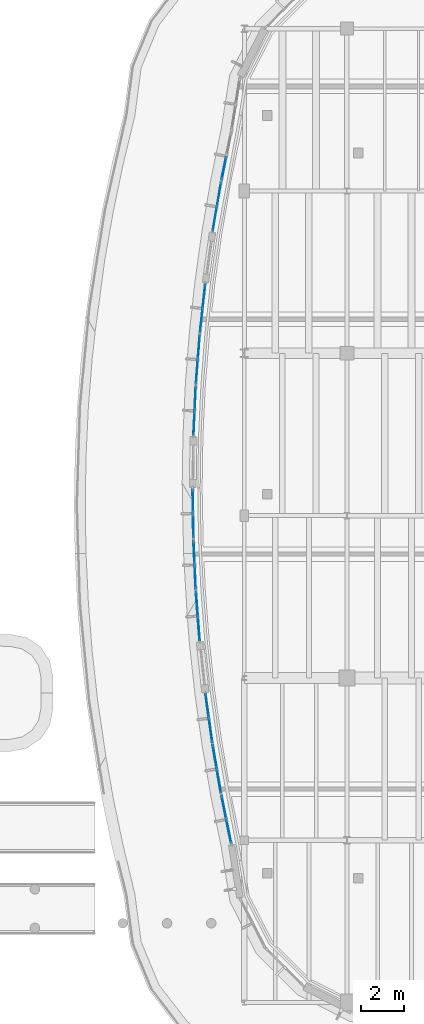
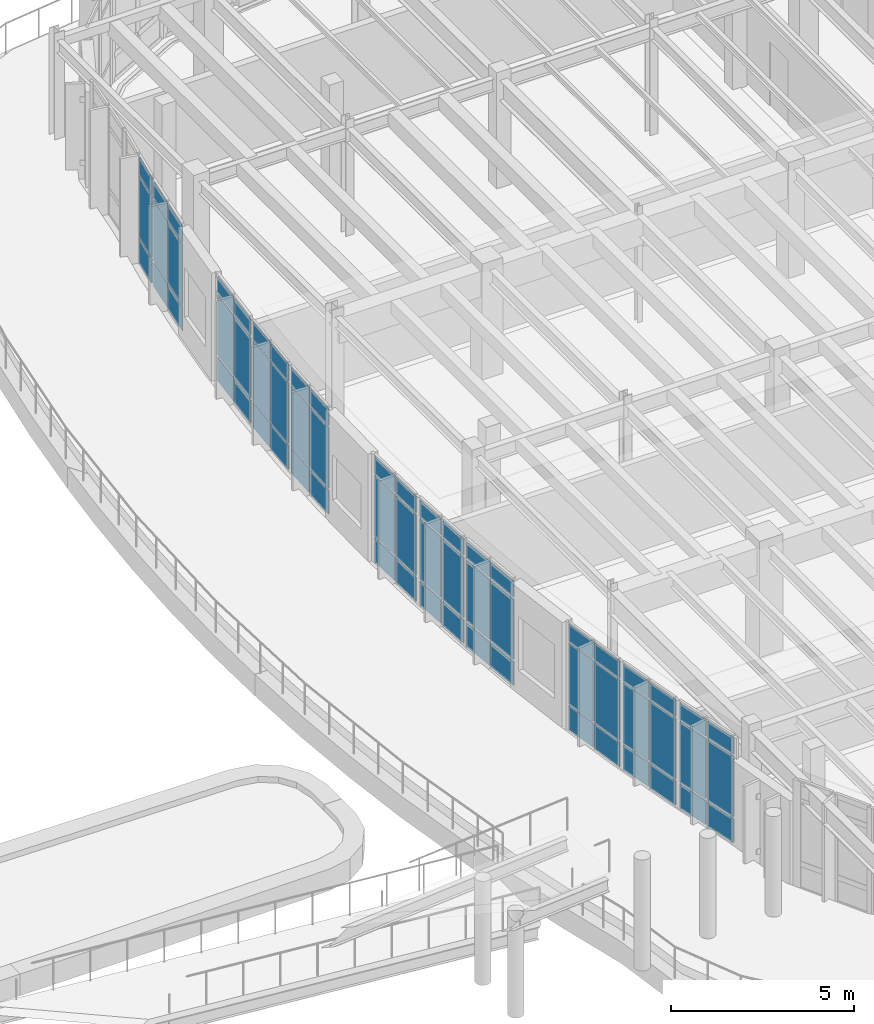
# One storey, part 76 of 111: 63 plates, 11 elements without a shape of their own.
"""IFC4 building model written with IfcOpenShell, lengths in metres."""

from ifc_helpers import new_model, si_unit, direction, frame, origin, origin_2d, place, context, subcontext, project, spatial, rectangle, extrude, material, layer, layer_set, type_object, element, aggregate, save


model = new_model("IFC4")

# Units and contexts
model_context = context("Model", 3, precision=1e-05, world=origin(), true_north=direction((0.0, 1.0)))
body_context = subcontext(model_context, "Body", "Model", "MODEL_VIEW")
ifc_project = project(units=[si_unit("LENGTHUNIT", "METRE"), si_unit("AREAUNIT", "SQUARE_METRE"), si_unit("VOLUMEUNIT", "CUBIC_METRE"), si_unit("PLANEANGLEUNIT", "RADIAN"), si_unit("MASSUNIT", "GRAM", prefix="KILO")], contexts=[model_context])

# Site, building, storey
site_placement = place(None, origin())
site = spatial("IfcSite", under=ifc_project, at=site_placement, CompositionType="ELEMENT")
building_placement = place(site_placement, origin())
building = spatial("IfcBuilding", under=site, at=building_placement, Name="Corveleigh Park Community Centre", CompositionType="ELEMENT")
storey_placement = place(building_placement, frame((0.0, 0.0, 4.800048828125)))
storey = spatial("IfcBuildingStorey", under=building, at=storey_placement, Name="L01", CompositionType="ELEMENT", Elevation=4.800048828125)

# Curtain wall, plates
ifc_material_1 = material(Name="Anodised aluminium 6063-T6", Category="aluminium")
curtain_wall_type = type_object("IfcCurtainWallType", Name="CW-SYS-V4-L01", PredefinedType="NOTDEFINED", material=ifc_material_1)
curtain_wall_1_placement = place(storey_placement, origin())
curtain_wall_1 = element("IfcCurtainWall", 1, at=curtain_wall_1_placement, inside=storey, type_object=curtain_wall_type, Name="V4 L01 Curtain Wall 289", PredefinedType="NOTDEFINED")
ifc_material_2 = material(Name="Low-E double glazing", Category="glass")
ifc_layer_1 = layer(ifc_material_2, 0.02392578125, Name="Low-E double glazing", Category="glass")
ifc_layer_set_1 = layer_set([ifc_layer_1], Name="Low-E double glazing")
plate_type_1 = type_object("IfcPlateType", Name="CWP-GLZ-24", PredefinedType="CURTAIN_PANEL", material=ifc_layer_set_1)
plate_1_placement = place(storey_placement, frame((133.216552734375, 95.28662109375, 0.074951171875), z_axis=(0.0, 0.0, 1.0), x_axis=(0.16935940473, 0.985554357724, 0.0)))
plate_1 = element("IfcPlate", 2, at=plate_1_placement, type_object=plate_type_1, Name="CW08 panel 1.1", PredefinedType="CURTAIN_PANEL", context=body_context, shape_type="SweptSolid", body=[
    extrude(rectangle(XDim=1.102783203125, YDim=0.02392578125, at=origin_2d()), origin(), (0.0, 0.0, 1.0), 0.78759765625),
])
plate_2_placement = place(storey_placement, frame((133.216552734375, 95.28662109375, 0.9375), z_axis=(0.0, 0.0, 1.0), x_axis=(0.16935940473, 0.985554357724, 0.0)))
plate_2 = element("IfcPlate", 3, at=plate_2_placement, type_object=plate_type_1, Name="CW08 panel 1.2", PredefinedType="CURTAIN_PANEL", context=body_context, shape_type="SweptSolid", body=[
    extrude(rectangle(XDim=1.102783203125, YDim=0.02392578125, at=origin_2d()), origin(), (0.0, 0.0, 1.0), 2.011962890625),
])
plate_3_placement = place(storey_placement, frame((133.216552734375, 95.28662109375, 3.0244140625), z_axis=(0.0, 0.0, 1.0), x_axis=(0.16935940473, 0.985554357724, 0.0)))
plate_3 = element("IfcPlate", 4, at=plate_3_placement, type_object=plate_type_1, Name="CW08 panel 1.3", PredefinedType="CURTAIN_PANEL", context=body_context, shape_type="SweptSolid", body=[
    extrude(rectangle(XDim=1.102783203125, YDim=0.02392578125, at=origin_2d()), origin(), (0.0, 0.0, 1.0), 0.53759765625),
])
plate_4_placement = place(storey_placement, frame((133.41357421875, 96.432373046875, 0.074951171875), z_axis=(0.0, 0.0, 1.0), x_axis=(0.16935940473, 0.985554357724, 0.0)))
plate_4 = element("IfcPlate", 5, at=plate_4_placement, type_object=plate_type_1, Name="CW08 panel 2.1", PredefinedType="CURTAIN_PANEL", context=body_context, shape_type="SweptSolid", body=[
    extrude(rectangle(XDim=1.102783203125, YDim=0.02392578125, at=origin_2d()), origin(), (0.0, 0.0, 1.0), 0.78759765625),
])
plate_5_placement = place(storey_placement, frame((133.41357421875, 96.432373046875, 0.9375), z_axis=(0.0, 0.0, 1.0), x_axis=(0.16935940473, 0.985554357724, 0.0)))
plate_5 = element("IfcPlate", 6, at=plate_5_placement, type_object=plate_type_1, Name="CW08 panel 2.2", PredefinedType="CURTAIN_PANEL", context=body_context, shape_type="SweptSolid", body=[
    extrude(rectangle(XDim=1.102783203125, YDim=0.02392578125, at=origin_2d()), origin(), (0.0, 0.0, 1.0), 2.011962890625),
])
plate_6_placement = place(storey_placement, frame((133.41357421875, 96.432373046875, 3.0244140625), z_axis=(0.0, 0.0, 1.0), x_axis=(0.16935940473, 0.985554357724, 0.0)))
plate_6 = element("IfcPlate", 7, at=plate_6_placement, type_object=plate_type_1, Name="CW08 panel 2.3", PredefinedType="CURTAIN_PANEL", context=body_context, shape_type="SweptSolid", body=[
    extrude(rectangle(XDim=1.102783203125, YDim=0.02392578125, at=origin_2d()), origin(), (0.0, 0.0, 1.0), 0.53759765625),
])
aggregate(curtain_wall_1, [plate_1, plate_2, plate_3, plate_4, plate_5, plate_6])

curtain_wall_2_placement = place(storey_placement, origin())
curtain_wall_2 = element("IfcCurtainWall", 8, at=curtain_wall_2_placement, inside=storey, type_object=curtain_wall_type, Name="V4 L01 Curtain Wall 290", PredefinedType="NOTDEFINED")
plate_7_placement = place(storey_placement, frame((132.584228515625, 90.521240234375, 0.080078125), z_axis=(0.0, 0.0, 1.0), x_axis=(0.108131218641, 0.994136630225, 0.0)))
plate_7 = element("IfcPlate", 9, at=plate_7_placement, type_object=plate_type_1, Name="CW08 panel 1.1", PredefinedType="CURTAIN_PANEL", context=body_context, shape_type="SweptSolid", body=[
    extrude(rectangle(XDim=1.095458984375, YDim=0.02392578125, at=origin_2d()), origin(), (0.0, 0.0, 1.0), 0.780029296875),
])
plate_8_placement = place(storey_placement, frame((132.584228515625, 90.521240234375, 0.93994140625), z_axis=(0.0, 0.0, 1.0), x_axis=(0.108131218641, 0.994136630225, 0.0)))
plate_8 = element("IfcPlate", 10, at=plate_8_placement, type_object=plate_type_1, Name="CW08 panel 1.2", PredefinedType="CURTAIN_PANEL", context=body_context, shape_type="SweptSolid", body=[
    extrude(rectangle(XDim=1.095458984375, YDim=0.02392578125, at=origin_2d()), origin(), (0.0, 0.0, 1.0), 2.007080078125),
])
plate_9_placement = place(storey_placement, frame((132.584228515625, 90.521240234375, 3.02685546875), z_axis=(0.0, 0.0, 1.0), x_axis=(0.108131218641, 0.994136630225, 0.0)))
plate_9 = element("IfcPlate", 11, at=plate_9_placement, type_object=plate_type_1, Name="CW08 panel 1.3", PredefinedType="CURTAIN_PANEL", context=body_context, shape_type="SweptSolid", body=[
    extrude(rectangle(XDim=1.095458984375, YDim=0.02392578125, at=origin_2d()), origin(), (0.0, 0.0, 1.0), 0.530029296875),
])
plate_10_placement = place(storey_placement, frame((132.709716796875, 91.6748046875, 0.080078125), z_axis=(0.0, 0.0, 1.0), x_axis=(0.108131218641, 0.994136630225, 0.0)))
plate_10 = element("IfcPlate", 12, at=plate_10_placement, type_object=plate_type_1, Name="CW08 panel 2.1", PredefinedType="CURTAIN_PANEL", context=body_context, shape_type="SweptSolid", body=[
    extrude(rectangle(XDim=1.095458984375, YDim=0.02392578125, at=origin_2d()), origin(), (0.0, 0.0, 1.0), 0.780029296875),
])
plate_11_placement = place(storey_placement, frame((132.709716796875, 91.6748046875, 0.93994140625), z_axis=(0.0, 0.0, 1.0), x_axis=(0.108131218641, 0.994136630225, 0.0)))
plate_11 = element("IfcPlate", 13, at=plate_11_placement, type_object=plate_type_1, Name="CW08 panel 2.2", PredefinedType="CURTAIN_PANEL", context=body_context, shape_type="SweptSolid", body=[
    extrude(rectangle(XDim=1.095458984375, YDim=0.02392578125, at=origin_2d()), origin(), (0.0, 0.0, 1.0), 2.007080078125),
])
plate_12_placement = place(storey_placement, frame((132.709716796875, 91.6748046875, 3.02685546875), z_axis=(0.0, 0.0, 1.0), x_axis=(0.108131218641, 0.994136630225, 0.0)))
plate_12 = element("IfcPlate", 14, at=plate_12_placement, type_object=plate_type_1, Name="CW08 panel 2.3", PredefinedType="CURTAIN_PANEL", context=body_context, shape_type="SweptSolid", body=[
    extrude(rectangle(XDim=1.095458984375, YDim=0.02392578125, at=origin_2d()), origin(), (0.0, 0.0, 1.0), 0.530029296875),
])
aggregate(curtain_wall_2, [plate_7, plate_8, plate_9, plate_10, plate_11, plate_12])

curtain_wall_3_placement = place(storey_placement, origin())
curtain_wall_3 = element("IfcCurtainWall", 15, at=curtain_wall_3_placement, inside=storey, type_object=curtain_wall_type, Name="V4 L01 Curtain Wall 291", PredefinedType="NOTDEFINED")
ifc_layer_2 = layer(ifc_material_2, 0.028076171875, Name="Low-E double glazing", Category="glass")
ifc_layer_set_2 = layer_set([ifc_layer_2], Name="Low-E double glazing")
plate_type_2 = type_object("IfcPlateType", Name="CWP-GLZ-28", PredefinedType="CURTAIN_PANEL", material=ifc_layer_set_2)
plate_13_placement = place(storey_placement, frame((132.37939453125, 88.127197265625, 0.059814453125), z_axis=(0.0, 0.0, 1.0), x_axis=(0.077113119982, 0.997022350164, 0.0)))
plate_13 = element("IfcPlate", 16, at=plate_13_placement, type_object=plate_type_2, Name="CW08 panel 1.1", PredefinedType="CURTAIN_PANEL", context=body_context, shape_type="SweptSolid", body=[
    extrude(rectangle(XDim=1.088134765625, YDim=0.028076171875, at=origin_2d()), origin(), (0.0, 0.0, 1.0), 0.81005859375),
])
plate_14_placement = place(storey_placement, frame((132.37939453125, 88.127197265625, 0.9296875), z_axis=(0.0, 0.0, 1.0), x_axis=(0.077113119982, 0.997022350164, 0.0)))
plate_14 = element("IfcPlate", 17, at=plate_14_placement, type_object=plate_type_2, Name="CW08 panel 1.2", PredefinedType="CURTAIN_PANEL", context=body_context, shape_type="SweptSolid", body=[
    extrude(rectangle(XDim=1.088134765625, YDim=0.028076171875, at=origin_2d()), origin(), (0.0, 0.0, 1.0), 2.027099609375),
])
plate_15_placement = place(storey_placement, frame((132.37939453125, 88.127197265625, 3.016845703125), z_axis=(0.0, 0.0, 1.0), x_axis=(0.077113119982, 0.997022350164, 0.0)))
plate_15 = element("IfcPlate", 18, at=plate_15_placement, type_object=plate_type_2, Name="CW08 panel 1.3", PredefinedType="CURTAIN_PANEL", context=body_context, shape_type="SweptSolid", body=[
    extrude(rectangle(XDim=1.088134765625, YDim=0.028076171875, at=origin_2d()), origin(), (0.0, 0.0, 1.0), 0.56005859375),
])
plate_16_placement = place(storey_placement, frame((132.46875, 89.28173828125, 0.059814453125), z_axis=(0.0, 0.0, 1.0), x_axis=(0.077113119982, 0.997022350164, 0.0)))
plate_16 = element("IfcPlate", 19, at=plate_16_placement, type_object=plate_type_2, Name="CW08 panel 2.1", PredefinedType="CURTAIN_PANEL", context=body_context, shape_type="SweptSolid", body=[
    extrude(rectangle(XDim=1.088134765625, YDim=0.028076171875, at=origin_2d()), origin(), (0.0, 0.0, 1.0), 0.81005859375),
])
plate_17_placement = place(storey_placement, frame((132.46875, 89.28173828125, 0.9296875), z_axis=(0.0, 0.0, 1.0), x_axis=(0.077113119982, 0.997022350164, 0.0)))
plate_17 = element("IfcPlate", 20, at=plate_17_placement, type_object=plate_type_2, Name="CW08 panel 2.2", PredefinedType="CURTAIN_PANEL", context=body_context, shape_type="SweptSolid", body=[
    extrude(rectangle(XDim=1.088134765625, YDim=0.028076171875, at=origin_2d()), origin(), (0.0, 0.0, 1.0), 2.027099609375),
])
plate_18_placement = place(storey_placement, frame((132.46875, 89.28173828125, 3.016845703125), z_axis=(0.0, 0.0, 1.0), x_axis=(0.077113119982, 0.997022350164, 0.0)))
plate_18 = element("IfcPlate", 21, at=plate_18_placement, type_object=plate_type_2, Name="CW08 panel 2.3", PredefinedType="CURTAIN_PANEL", context=body_context, shape_type="SweptSolid", body=[
    extrude(rectangle(XDim=1.088134765625, YDim=0.028076171875, at=origin_2d()), origin(), (0.0, 0.0, 1.0), 0.56005859375),
])
aggregate(curtain_wall_3, [plate_13, plate_14, plate_15, plate_16, plate_17, plate_18])

curtain_wall_4_placement = place(storey_placement, origin())
curtain_wall_4 = element("IfcCurtainWall", 22, at=curtain_wall_4_placement, inside=storey, type_object=curtain_wall_type, Name="V4 L01 Curtain Wall 292", PredefinedType="NOTDEFINED")
plate_19_placement = place(storey_placement, frame((132.247802734375, 85.727783203125, 0.06494140625), z_axis=(0.0, 0.0, 1.0), x_axis=(0.046928106618, 0.9988982695, 0.0)))
plate_19 = element("IfcPlate", 23, at=plate_19_placement, type_object=plate_type_2, Name="CW08 panel 1.1", PredefinedType="CURTAIN_PANEL", context=body_context, shape_type="SweptSolid", body=[
    extrude(rectangle(XDim=1.080810546875, YDim=0.028076171875, at=origin_2d()), origin(), (0.0, 0.0, 1.0), 0.802490234375),
])
plate_20_placement = place(storey_placement, frame((132.247802734375, 85.727783203125, 0.932373046875), z_axis=(0.0, 0.0, 1.0), x_axis=(0.046928106618, 0.9988982695, 0.0)))
plate_20 = element("IfcPlate", 24, at=plate_20_placement, type_object=plate_type_2, Name="CW08 panel 1.2", PredefinedType="CURTAIN_PANEL", context=body_context, shape_type="SweptSolid", body=[
    extrude(rectangle(XDim=1.080810546875, YDim=0.028076171875, at=origin_2d()), origin(), (0.0, 0.0, 1.0), 2.02197265625),
])
plate_21_placement = place(storey_placement, frame((132.247802734375, 85.727783203125, 3.01953125), z_axis=(0.0, 0.0, 1.0), x_axis=(0.046928106618, 0.9988982695, 0.0)))
plate_21 = element("IfcPlate", 25, at=plate_21_placement, type_object=plate_type_2, Name="CW08 panel 1.3", PredefinedType="CURTAIN_PANEL", context=body_context, shape_type="SweptSolid", body=[
    extrude(rectangle(XDim=1.080810546875, YDim=0.028076171875, at=origin_2d()), origin(), (0.0, 0.0, 1.0), 0.552490234375),
])
plate_22_placement = place(storey_placement, frame((132.302001953125, 86.88232421875, 0.06494140625), z_axis=(0.0, 0.0, 1.0), x_axis=(0.046928106618, 0.9988982695, 0.0)))
plate_22 = element("IfcPlate", 26, at=plate_22_placement, type_object=plate_type_2, Name="CW08 panel 2.1", PredefinedType="CURTAIN_PANEL", context=body_context, shape_type="SweptSolid", body=[
    extrude(rectangle(XDim=1.080810546875, YDim=0.028076171875, at=origin_2d()), origin(), (0.0, 0.0, 1.0), 0.802490234375),
])
plate_23_placement = place(storey_placement, frame((132.302001953125, 86.88232421875, 0.932373046875), z_axis=(0.0, 0.0, 1.0), x_axis=(0.046928106618, 0.9988982695, 0.0)))
plate_23 = element("IfcPlate", 27, at=plate_23_placement, type_object=plate_type_2, Name="CW08 panel 2.2", PredefinedType="CURTAIN_PANEL", context=body_context, shape_type="SweptSolid", body=[
    extrude(rectangle(XDim=1.080810546875, YDim=0.028076171875, at=origin_2d()), origin(), (0.0, 0.0, 1.0), 2.02197265625),
])
plate_24_placement = place(storey_placement, frame((132.302001953125, 86.88232421875, 3.01953125), z_axis=(0.0, 0.0, 1.0), x_axis=(0.046928106618, 0.9988982695, 0.0)))
plate_24 = element("IfcPlate", 28, at=plate_24_placement, type_object=plate_type_2, Name="CW08 panel 2.3", PredefinedType="CURTAIN_PANEL", context=body_context, shape_type="SweptSolid", body=[
    extrude(rectangle(XDim=1.080810546875, YDim=0.028076171875, at=origin_2d()), origin(), (0.0, 0.0, 1.0), 0.552490234375),
])
aggregate(curtain_wall_4, [plate_19, plate_20, plate_21, plate_22, plate_23, plate_24])

curtain_wall_5_placement = place(storey_placement, origin())
curtain_wall_5 = element("IfcCurtainWall", 29, at=curtain_wall_5_placement, inside=storey, type_object=curtain_wall_type, Name="V4 L01 Curtain Wall 293", PredefinedType="NOTDEFINED")
ifc_layer_3 = layer(ifc_material_2, 0.031982421875, Name="Low-E double glazing", Category="glass")
ifc_layer_set_3 = layer_set([ifc_layer_3], Name="Low-E double glazing")
plate_type_3 = type_object("IfcPlateType", Name="CWP-GLZ-32", PredefinedType="CURTAIN_PANEL", material=ifc_layer_set_3)
plate_25_placement = place(storey_placement, frame((132.20947265625, 80.92138671875, 0.070068359375), z_axis=(0.0, 0.0, 1.0), x_axis=(-0.015505260721, 0.999879786219, 0.0)))
plate_25 = element("IfcPlate", 30, at=plate_25_placement, type_object=plate_type_3, Name="CW08 panel 1.1", PredefinedType="CURTAIN_PANEL", context=body_context, shape_type="SweptSolid", body=[
    extrude(rectangle(XDim=1.0732421875, YDim=0.031982421875, at=origin_2d()), origin(), (0.0, 0.0, 1.0), 0.794921875),
])
plate_26_placement = place(storey_placement, frame((132.20947265625, 80.92138671875, 0.934814453125), z_axis=(0.0, 0.0, 1.0), x_axis=(-0.015505260721, 0.999879786219, 0.0)))
plate_26 = element("IfcPlate", 31, at=plate_26_placement, type_object=plate_type_3, Name="CW08 panel 1.2", PredefinedType="CURTAIN_PANEL", context=body_context, shape_type="SweptSolid", body=[
    extrude(rectangle(XDim=1.0732421875, YDim=0.031982421875, at=origin_2d()), origin(), (0.0, 0.0, 1.0), 2.01708984375),
])
plate_27_placement = place(storey_placement, frame((132.20947265625, 80.92138671875, 3.02197265625), z_axis=(0.0, 0.0, 1.0), x_axis=(-0.015505260721, 0.999879786219, 0.0)))
plate_27 = element("IfcPlate", 32, at=plate_27_placement, type_object=plate_type_3, Name="CW08 panel 1.3", PredefinedType="CURTAIN_PANEL", context=body_context, shape_type="SweptSolid", body=[
    extrude(rectangle(XDim=1.0732421875, YDim=0.031982421875, at=origin_2d()), origin(), (0.0, 0.0, 1.0), 0.544921875),
])
plate_28_placement = place(storey_placement, frame((132.191650390625, 82.074462890625, 0.070068359375), z_axis=(0.0, 0.0, 1.0), x_axis=(-0.015505260721, 0.999879786219, 0.0)))
plate_28 = element("IfcPlate", 33, at=plate_28_placement, type_object=plate_type_3, Name="CW08 panel 2.1", PredefinedType="CURTAIN_PANEL", context=body_context, shape_type="SweptSolid", body=[
    extrude(rectangle(XDim=1.0732421875, YDim=0.031982421875, at=origin_2d()), origin(), (0.0, 0.0, 1.0), 0.794921875),
])
plate_29_placement = place(storey_placement, frame((132.191650390625, 82.074462890625, 0.934814453125), z_axis=(0.0, 0.0, 1.0), x_axis=(-0.015505260721, 0.999879786219, 0.0)))
plate_29 = element("IfcPlate", 34, at=plate_29_placement, type_object=plate_type_3, Name="CW08 panel 2.2", PredefinedType="CURTAIN_PANEL", context=body_context, shape_type="SweptSolid", body=[
    extrude(rectangle(XDim=1.0732421875, YDim=0.031982421875, at=origin_2d()), origin(), (0.0, 0.0, 1.0), 2.01708984375),
])
plate_30_placement = place(storey_placement, frame((132.191650390625, 82.074462890625, 3.02197265625), z_axis=(0.0, 0.0, 1.0), x_axis=(-0.015505260721, 0.999879786219, 0.0)))
plate_30 = element("IfcPlate", 35, at=plate_30_placement, type_object=plate_type_3, Name="CW08 panel 2.3", PredefinedType="CURTAIN_PANEL", context=body_context, shape_type="SweptSolid", body=[
    extrude(rectangle(XDim=1.0732421875, YDim=0.031982421875, at=origin_2d()), origin(), (0.0, 0.0, 1.0), 0.544921875),
])
aggregate(curtain_wall_5, [plate_25, plate_26, plate_27, plate_28, plate_29, plate_30])

curtain_wall_6_placement = place(storey_placement, origin())
curtain_wall_6 = element("IfcCurtainWall", 36, at=curtain_wall_6_placement, inside=storey, type_object=curtain_wall_type, Name="V4 L01 Curtain Wall 294", PredefinedType="NOTDEFINED")
plate_31_placement = place(storey_placement, frame((132.302001953125, 78.520263671875, 0.074951171875), z_axis=(0.0, 0.0, 1.0), x_axis=(-0.046928106618, 0.9988982695, 0.0)))
plate_31 = element("IfcPlate", 37, at=plate_31_placement, type_object=plate_type_3, Name="CW08 panel 1.1", PredefinedType="CURTAIN_PANEL", context=body_context, shape_type="SweptSolid", body=[
    extrude(rectangle(XDim=1.06591796875, YDim=0.031982421875, at=origin_2d()), origin(), (0.0, 0.0, 1.0), 0.78759765625),
])
plate_32_placement = place(storey_placement, frame((132.302001953125, 78.520263671875, 0.9375), z_axis=(0.0, 0.0, 1.0), x_axis=(-0.046928106618, 0.9988982695, 0.0)))
plate_32 = element("IfcPlate", 38, at=plate_32_placement, type_object=plate_type_3, Name="CW08 panel 1.2", PredefinedType="CURTAIN_PANEL", context=body_context, shape_type="SweptSolid", body=[
    extrude(rectangle(XDim=1.06591796875, YDim=0.031982421875, at=origin_2d()), origin(), (0.0, 0.0, 1.0), 2.011962890625),
])
plate_33_placement = place(storey_placement, frame((132.302001953125, 78.520263671875, 3.0244140625), z_axis=(0.0, 0.0, 1.0), x_axis=(-0.046928106618, 0.9988982695, 0.0)))
plate_33 = element("IfcPlate", 39, at=plate_33_placement, type_object=plate_type_3, Name="CW08 panel 1.3", PredefinedType="CURTAIN_PANEL", context=body_context, shape_type="SweptSolid", body=[
    extrude(rectangle(XDim=1.06591796875, YDim=0.031982421875, at=origin_2d()), origin(), (0.0, 0.0, 1.0), 0.53759765625),
])
plate_34_placement = place(storey_placement, frame((132.248046875, 79.669677734375, 0.074951171875), z_axis=(0.0, 0.0, 1.0), x_axis=(-0.046928106618, 0.9988982695, 0.0)))
plate_34 = element("IfcPlate", 40, at=plate_34_placement, type_object=plate_type_3, Name="CW08 panel 2.1", PredefinedType="CURTAIN_PANEL", context=body_context, shape_type="SweptSolid", body=[
    extrude(rectangle(XDim=1.06591796875, YDim=0.031982421875, at=origin_2d()), origin(), (0.0, 0.0, 1.0), 0.78759765625),
])
plate_35_placement = place(storey_placement, frame((132.248046875, 79.669677734375, 0.9375), z_axis=(0.0, 0.0, 1.0), x_axis=(-0.046928106618, 0.9988982695, 0.0)))
plate_35 = element("IfcPlate", 41, at=plate_35_placement, type_object=plate_type_3, Name="CW08 panel 2.2", PredefinedType="CURTAIN_PANEL", context=body_context, shape_type="SweptSolid", body=[
    extrude(rectangle(XDim=1.06591796875, YDim=0.031982421875, at=origin_2d()), origin(), (0.0, 0.0, 1.0), 2.011962890625),
])
plate_36_placement = place(storey_placement, frame((132.248046875, 79.669677734375, 3.0244140625), z_axis=(0.0, 0.0, 1.0), x_axis=(-0.046928106618, 0.9988982695, 0.0)))
plate_36 = element("IfcPlate", 42, at=plate_36_placement, type_object=plate_type_3, Name="CW08 panel 2.3", PredefinedType="CURTAIN_PANEL", context=body_context, shape_type="SweptSolid", body=[
    extrude(rectangle(XDim=1.06591796875, YDim=0.031982421875, at=origin_2d()), origin(), (0.0, 0.0, 1.0), 0.53759765625),
])
aggregate(curtain_wall_6, [plate_31, plate_32, plate_33, plate_34, plate_35, plate_36])

curtain_wall_7_placement = place(storey_placement, origin())
curtain_wall_7 = element("IfcCurtainWall", 43, at=curtain_wall_7_placement, inside=storey, type_object=curtain_wall_type, Name="V4 L01 Curtain Wall 295", PredefinedType="NOTDEFINED")
ifc_layer_4 = layer(ifc_material_2, 0.035888671875, Name="Low-E double glazing", Category="glass")
ifc_layer_set_4 = layer_set([ifc_layer_4], Name="Low-E double glazing")
plate_type_4 = type_object("IfcPlateType", Name="CWP-GLZ-36", PredefinedType="CURTAIN_PANEL", material=ifc_layer_set_4)
plate_37_placement = place(storey_placement, frame((132.46875, 76.11572265625, 0.080078125), z_axis=(0.0, 0.0, 1.0), x_axis=(-0.077113119982, 0.997022350164, 0.0)))
plate_37 = element("IfcPlate", 44, at=plate_37_placement, type_object=plate_type_4, Name="CW08 panel 1.1", PredefinedType="CURTAIN_PANEL", context=body_context, shape_type="SweptSolid", body=[
    extrude(rectangle(XDim=1.10302734375, YDim=0.035888671875, at=origin_2d()), origin(), (0.0, 0.0, 1.0), 0.780029296875),
])
plate_38_placement = place(storey_placement, frame((132.46875, 76.11572265625, 0.93994140625), z_axis=(0.0, 0.0, 1.0), x_axis=(-0.077113119982, 0.997022350164, 0.0)))
plate_38 = element("IfcPlate", 45, at=plate_38_placement, type_object=plate_type_4, Name="CW08 panel 1.2", PredefinedType="CURTAIN_PANEL", context=body_context, shape_type="SweptSolid", body=[
    extrude(rectangle(XDim=1.10302734375, YDim=0.035888671875, at=origin_2d()), origin(), (0.0, 0.0, 1.0), 2.007080078125),
])
plate_39_placement = place(storey_placement, frame((132.46875, 76.11572265625, 3.02685546875), z_axis=(0.0, 0.0, 1.0), x_axis=(-0.077113119982, 0.997022350164, 0.0)))
plate_39 = element("IfcPlate", 46, at=plate_39_placement, type_object=plate_type_4, Name="CW08 panel 1.3", PredefinedType="CURTAIN_PANEL", context=body_context, shape_type="SweptSolid", body=[
    extrude(rectangle(XDim=1.10302734375, YDim=0.035888671875, at=origin_2d()), origin(), (0.0, 0.0, 1.0), 0.530029296875),
])
plate_40_placement = place(storey_placement, frame((132.379150390625, 77.275390625, 0.080078125), z_axis=(0.0, 0.0, 1.0), x_axis=(-0.077113119982, 0.997022350164, 0.0)))
plate_40 = element("IfcPlate", 47, at=plate_40_placement, type_object=plate_type_4, Name="CW08 panel 2.1", PredefinedType="CURTAIN_PANEL", context=body_context, shape_type="SweptSolid", body=[
    extrude(rectangle(XDim=1.10302734375, YDim=0.035888671875, at=origin_2d()), origin(), (0.0, 0.0, 1.0), 0.780029296875),
])
plate_41_placement = place(storey_placement, frame((132.379150390625, 77.275390625, 0.93994140625), z_axis=(0.0, 0.0, 1.0), x_axis=(-0.077113119982, 0.997022350164, 0.0)))
plate_41 = element("IfcPlate", 48, at=plate_41_placement, type_object=plate_type_4, Name="CW08 panel 2.2", PredefinedType="CURTAIN_PANEL", context=body_context, shape_type="SweptSolid", body=[
    extrude(rectangle(XDim=1.10302734375, YDim=0.035888671875, at=origin_2d()), origin(), (0.0, 0.0, 1.0), 2.007080078125),
])
plate_42_placement = place(storey_placement, frame((132.379150390625, 77.275390625, 3.02685546875), z_axis=(0.0, 0.0, 1.0), x_axis=(-0.077113119982, 0.997022350164, 0.0)))
plate_42 = element("IfcPlate", 49, at=plate_42_placement, type_object=plate_type_4, Name="CW08 panel 2.3", PredefinedType="CURTAIN_PANEL", context=body_context, shape_type="SweptSolid", body=[
    extrude(rectangle(XDim=1.10302734375, YDim=0.035888671875, at=origin_2d()), origin(), (0.0, 0.0, 1.0), 0.530029296875),
])
aggregate(curtain_wall_7, [plate_37, plate_38, plate_39, plate_40, plate_41, plate_42])

curtain_wall_8_placement = place(storey_placement, origin())
curtain_wall_8 = element("IfcCurtainWall", 50, at=curtain_wall_8_placement, inside=storey, type_object=curtain_wall_type, Name="V4 L01 Curtain Wall 296", PredefinedType="NOTDEFINED")
plate_43_placement = place(storey_placement, frame((133.024658203125, 71.341064453125, 0.059814453125), z_axis=(0.0, 0.0, 1.0), x_axis=(-0.139075113882, 0.990281834984, 0.0)))
plate_43 = element("IfcPlate", 51, at=plate_43_placement, type_object=plate_type_4, Name="CW08 panel 1.1", PredefinedType="CURTAIN_PANEL", context=body_context, shape_type="SweptSolid", body=[
    extrude(rectangle(XDim=1.09619140625, YDim=0.035888671875, at=origin_2d()), origin(), (0.0, 0.0, 1.0), 0.81005859375),
])
plate_44_placement = place(storey_placement, frame((133.024658203125, 71.341064453125, 0.9296875), z_axis=(0.0, 0.0, 1.0), x_axis=(-0.139075113882, 0.990281834984, 0.0)))
plate_44 = element("IfcPlate", 52, at=plate_44_placement, type_object=plate_type_4, Name="CW08 panel 1.2", PredefinedType="CURTAIN_PANEL", context=body_context, shape_type="SweptSolid", body=[
    extrude(rectangle(XDim=1.09619140625, YDim=0.035888671875, at=origin_2d()), origin(), (0.0, 0.0, 1.0), 2.027099609375),
])
plate_45_placement = place(storey_placement, frame((133.024658203125, 71.341064453125, 3.016845703125), z_axis=(0.0, 0.0, 1.0), x_axis=(-0.139075113882, 0.990281834984, 0.0)))
plate_45 = element("IfcPlate", 53, at=plate_45_placement, type_object=plate_type_4, Name="CW08 panel 1.3", PredefinedType="CURTAIN_PANEL", context=body_context, shape_type="SweptSolid", body=[
    extrude(rectangle(XDim=1.09619140625, YDim=0.035888671875, at=origin_2d()), origin(), (0.0, 0.0, 1.0), 0.56005859375),
])
plate_46_placement = place(storey_placement, frame((132.86328125, 72.490966796875, 0.059814453125), z_axis=(0.0, 0.0, 1.0), x_axis=(-0.139075113882, 0.990281834984, 0.0)))
plate_46 = element("IfcPlate", 54, at=plate_46_placement, type_object=plate_type_4, Name="CW08 panel 2.1", PredefinedType="CURTAIN_PANEL", context=body_context, shape_type="SweptSolid", body=[
    extrude(rectangle(XDim=1.09619140625, YDim=0.035888671875, at=origin_2d()), origin(), (0.0, 0.0, 1.0), 0.81005859375),
])
plate_47_placement = place(storey_placement, frame((132.86328125, 72.490966796875, 0.9296875), z_axis=(0.0, 0.0, 1.0), x_axis=(-0.139075113882, 0.990281834984, 0.0)))
plate_47 = element("IfcPlate", 55, at=plate_47_placement, type_object=plate_type_4, Name="CW08 panel 2.2", PredefinedType="CURTAIN_PANEL", context=body_context, shape_type="SweptSolid", body=[
    extrude(rectangle(XDim=1.09619140625, YDim=0.035888671875, at=origin_2d()), origin(), (0.0, 0.0, 1.0), 2.027099609375),
])
plate_48_placement = place(storey_placement, frame((132.86328125, 72.490966796875, 3.016845703125), z_axis=(0.0, 0.0, 1.0), x_axis=(-0.139075113882, 0.990281834984, 0.0)))
plate_48 = element("IfcPlate", 56, at=plate_48_placement, type_object=plate_type_4, Name="CW08 panel 2.3", PredefinedType="CURTAIN_PANEL", context=body_context, shape_type="SweptSolid", body=[
    extrude(rectangle(XDim=1.09619140625, YDim=0.035888671875, at=origin_2d()), origin(), (0.0, 0.0, 1.0), 0.56005859375),
])
aggregate(curtain_wall_8, [plate_43, plate_44, plate_45, plate_46, plate_47, plate_48])

curtain_wall_9_placement = place(storey_placement, origin())
curtain_wall_9 = element("IfcCurtainWall", 57, at=curtain_wall_9_placement, inside=storey, type_object=curtain_wall_type, Name="V4 L01 Curtain Wall 297", PredefinedType="NOTDEFINED")
ifc_layer_5 = layer(ifc_material_2, 0.0400390625, Name="Low-E double glazing", Category="glass")
ifc_layer_set_5 = layer_set([ifc_layer_5], Name="Low-E double glazing")
plate_type_5 = type_object("IfcPlateType", Name="CWP-GLZ-40", PredefinedType="CURTAIN_PANEL", material=ifc_layer_set_5)
plate_49_placement = place(storey_placement, frame((133.4130859375, 68.969970703125, 0.06494140625), z_axis=(0.0, 0.0, 1.0), x_axis=(-0.16935940473, 0.985554357724, 0.0)))
plate_49 = element("IfcPlate", 58, at=plate_49_placement, type_object=plate_type_5, Name="CW08 panel 1.1", PredefinedType="CURTAIN_PANEL", context=body_context, shape_type="SweptSolid", body=[
    extrude(rectangle(XDim=1.087646484375, YDim=0.0400390625, at=origin_2d()), origin(), (0.0, 0.0, 1.0), 0.802490234375),
])
plate_50_placement = place(storey_placement, frame((133.4130859375, 68.969970703125, 0.932373046875), z_axis=(0.0, 0.0, 1.0), x_axis=(-0.16935940473, 0.985554357724, 0.0)))
plate_50 = element("IfcPlate", 59, at=plate_50_placement, type_object=plate_type_5, Name="CW08 panel 1.2", PredefinedType="CURTAIN_PANEL", context=body_context, shape_type="SweptSolid", body=[
    extrude(rectangle(XDim=1.087646484375, YDim=0.0400390625, at=origin_2d()), origin(), (0.0, 0.0, 1.0), 2.02197265625),
])
plate_51_placement = place(storey_placement, frame((133.4130859375, 68.969970703125, 3.01953125), z_axis=(0.0, 0.0, 1.0), x_axis=(-0.16935940473, 0.985554357724, 0.0)))
plate_51 = element("IfcPlate", 60, at=plate_51_placement, type_object=plate_type_5, Name="CW08 panel 1.3", PredefinedType="CURTAIN_PANEL", context=body_context, shape_type="SweptSolid", body=[
    extrude(rectangle(XDim=1.087646484375, YDim=0.0400390625, at=origin_2d()), origin(), (0.0, 0.0, 1.0), 0.552490234375),
])
plate_52_placement = place(storey_placement, frame((133.217041015625, 70.111083984375, 0.06494140625), z_axis=(0.0, 0.0, 1.0), x_axis=(-0.16935940473, 0.985554357724, 0.0)))
plate_52 = element("IfcPlate", 61, at=plate_52_placement, type_object=plate_type_5, Name="CW08 panel 2.1", PredefinedType="CURTAIN_PANEL", context=body_context, shape_type="SweptSolid", body=[
    extrude(rectangle(XDim=1.087646484375, YDim=0.0400390625, at=origin_2d()), origin(), (0.0, 0.0, 1.0), 0.802490234375),
])
plate_53_placement = place(storey_placement, frame((133.217041015625, 70.111083984375, 0.932373046875), z_axis=(0.0, 0.0, 1.0), x_axis=(-0.16935940473, 0.985554357724, 0.0)))
plate_53 = element("IfcPlate", 62, at=plate_53_placement, type_object=plate_type_5, Name="CW08 panel 2.2", PredefinedType="CURTAIN_PANEL", context=body_context, shape_type="SweptSolid", body=[
    extrude(rectangle(XDim=1.087646484375, YDim=0.0400390625, at=origin_2d()), origin(), (0.0, 0.0, 1.0), 2.02197265625),
])
plate_54_placement = place(storey_placement, frame((133.217041015625, 70.111083984375, 3.01953125), z_axis=(0.0, 0.0, 1.0), x_axis=(-0.16935940473, 0.985554357724, 0.0)))
plate_54 = element("IfcPlate", 63, at=plate_54_placement, type_object=plate_type_5, Name="CW08 panel 2.3", PredefinedType="CURTAIN_PANEL", context=body_context, shape_type="SweptSolid", body=[
    extrude(rectangle(XDim=1.087646484375, YDim=0.0400390625, at=origin_2d()), origin(), (0.0, 0.0, 1.0), 0.552490234375),
])
aggregate(curtain_wall_9, [plate_49, plate_50, plate_51, plate_52, plate_53, plate_54])

curtain_wall_10_placement = place(storey_placement, origin())
curtain_wall_10 = element("IfcCurtainWall", 64, at=curtain_wall_10_placement, inside=storey, type_object=curtain_wall_type, Name="V4 L01 Curtain Wall 298", PredefinedType="NOTDEFINED")
plate_55_placement = place(storey_placement, frame((133.875, 66.612548828125, 0.070068359375), z_axis=(0.0, 0.0, 1.0), x_axis=(-0.19998465427, 0.979799029422, 0.0)))
plate_55 = element("IfcPlate", 65, at=plate_55_placement, type_object=plate_type_5, Name="CW08 panel 1.1", PredefinedType="CURTAIN_PANEL", context=body_context, shape_type="SweptSolid", body=[
    extrude(rectangle(XDim=1.080078125, YDim=0.0400390625, at=origin_2d()), origin(), (0.0, 0.0, 1.0), 0.794921875),
])
plate_56_placement = place(storey_placement, frame((133.875, 66.612548828125, 0.934814453125), z_axis=(0.0, 0.0, 1.0), x_axis=(-0.19998465427, 0.979799029422, 0.0)))
plate_56 = element("IfcPlate", 66, at=plate_56_placement, type_object=plate_type_5, Name="CW08 panel 1.2", PredefinedType="CURTAIN_PANEL", context=body_context, shape_type="SweptSolid", body=[
    extrude(rectangle(XDim=1.080078125, YDim=0.0400390625, at=origin_2d()), origin(), (0.0, 0.0, 1.0), 2.01708984375),
])
plate_57_placement = place(storey_placement, frame((133.875, 66.612548828125, 3.02197265625), z_axis=(0.0, 0.0, 1.0), x_axis=(-0.19998465427, 0.979799029422, 0.0)))
plate_57 = element("IfcPlate", 67, at=plate_57_placement, type_object=plate_type_5, Name="CW08 panel 1.3", PredefinedType="CURTAIN_PANEL", context=body_context, shape_type="SweptSolid", body=[
    extrude(rectangle(XDim=1.080078125, YDim=0.0400390625, at=origin_2d()), origin(), (0.0, 0.0, 1.0), 0.544921875),
])
plate_58_placement = place(storey_placement, frame((133.64404296875, 67.744384765625, 0.070068359375), z_axis=(0.0, 0.0, 1.0), x_axis=(-0.19998465427, 0.979799029422, 0.0)))
plate_58 = element("IfcPlate", 68, at=plate_58_placement, type_object=plate_type_5, Name="CW08 panel 2.1", PredefinedType="CURTAIN_PANEL", context=body_context, shape_type="SweptSolid", body=[
    extrude(rectangle(XDim=1.080078125, YDim=0.0400390625, at=origin_2d()), origin(), (0.0, 0.0, 1.0), 0.794921875),
])
plate_59_placement = place(storey_placement, frame((133.64404296875, 67.744384765625, 0.934814453125), z_axis=(0.0, 0.0, 1.0), x_axis=(-0.19998465427, 0.979799029422, 0.0)))
plate_59 = element("IfcPlate", 69, at=plate_59_placement, type_object=plate_type_5, Name="CW08 panel 2.2", PredefinedType="CURTAIN_PANEL", context=body_context, shape_type="SweptSolid", body=[
    extrude(rectangle(XDim=1.080078125, YDim=0.0400390625, at=origin_2d()), origin(), (0.0, 0.0, 1.0), 2.01708984375),
])
plate_60_placement = place(storey_placement, frame((133.64404296875, 67.744384765625, 3.02197265625), z_axis=(0.0, 0.0, 1.0), x_axis=(-0.19998465427, 0.979799029422, 0.0)))
plate_60 = element("IfcPlate", 70, at=plate_60_placement, type_object=plate_type_5, Name="CW08 panel 2.3", PredefinedType="CURTAIN_PANEL", context=body_context, shape_type="SweptSolid", body=[
    extrude(rectangle(XDim=1.080078125, YDim=0.0400390625, at=origin_2d()), origin(), (0.0, 0.0, 1.0), 0.544921875),
])
aggregate(curtain_wall_10, [plate_55, plate_56, plate_57, plate_58, plate_59, plate_60])

curtain_wall_11_placement = place(storey_placement, origin())
curtain_wall_11 = element("IfcCurtainWall", 71, at=curtain_wall_11_placement, inside=storey, type_object=curtain_wall_type, Name="V4 L01 Curtain Wall 288", PredefinedType="NOTDEFINED")
ifc_layer_6 = layer(ifc_material_2, 0.0439453125, Name="Low-E double glazing", Category="glass")
ifc_layer_set_6 = layer_set([ifc_layer_6], Name="Low-E double glazing")
plate_type_6 = type_object("IfcPlateType", Name="CWP-GLZ-44", PredefinedType="CURTAIN_PANEL", material=ifc_layer_set_6)
plate_61_placement = place(storey_placement, frame((133.64453125, 97.657958984375, 0.070068359375), z_axis=(0.0, 0.0, 1.0), x_axis=(0.19998465427, 0.979799029422, 0.0)))
plate_61 = element("IfcPlate", 72, at=plate_61_placement, type_object=plate_type_6, Name="CW08 panel 1.1", PredefinedType="CURTAIN_PANEL", context=body_context, shape_type="SweptSolid", body=[
    extrude(rectangle(XDim=1.065185546875, YDim=0.0439453125, at=origin_2d()), origin(), (0.0, 0.0, 1.0), 0.794921875),
])
plate_62_placement = place(storey_placement, frame((133.64453125, 97.657958984375, 0.934814453125), z_axis=(0.0, 0.0, 1.0), x_axis=(0.19998465427, 0.979799029422, 0.0)))
plate_62 = element("IfcPlate", 73, at=plate_62_placement, type_object=plate_type_6, Name="CW08 panel 1.2", PredefinedType="CURTAIN_PANEL", context=body_context, shape_type="SweptSolid", body=[
    extrude(rectangle(XDim=1.065185546875, YDim=0.0439453125, at=origin_2d()), origin(), (0.0, 0.0, 1.0), 2.01708984375),
])
plate_63_placement = place(storey_placement, frame((133.64453125, 97.657958984375, 3.02197265625), z_axis=(0.0, 0.0, 1.0), x_axis=(0.19998465427, 0.979799029422, 0.0)))
plate_63 = element("IfcPlate", 74, at=plate_63_placement, type_object=plate_type_6, Name="CW08 panel 1.3", PredefinedType="CURTAIN_PANEL", context=body_context, shape_type="SweptSolid", body=[
    extrude(rectangle(XDim=1.065185546875, YDim=0.0439453125, at=origin_2d()), origin(), (0.0, 0.0, 1.0), 0.544921875),
])
aggregate(curtain_wall_11, [plate_61, plate_62, plate_63])

save(model, "model.ifc")
